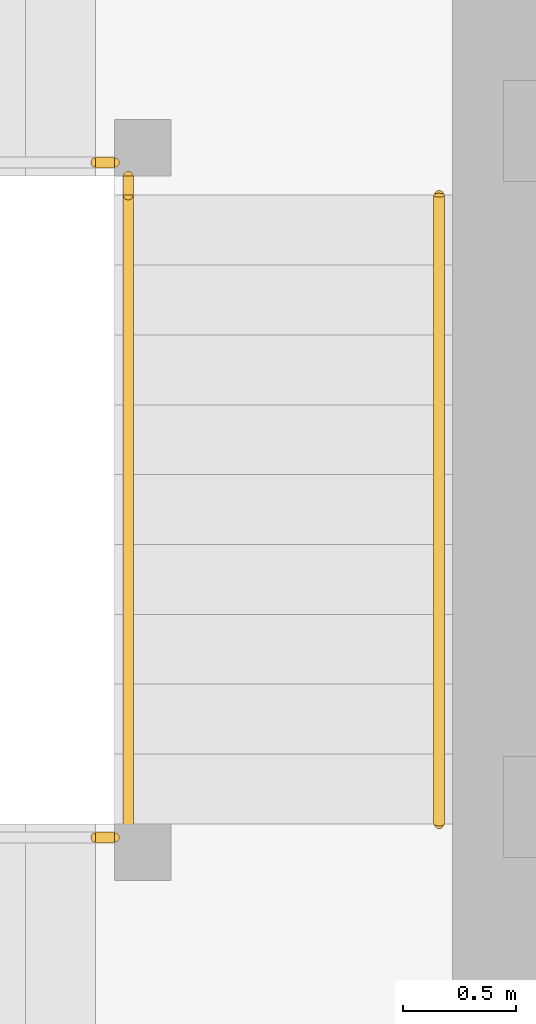
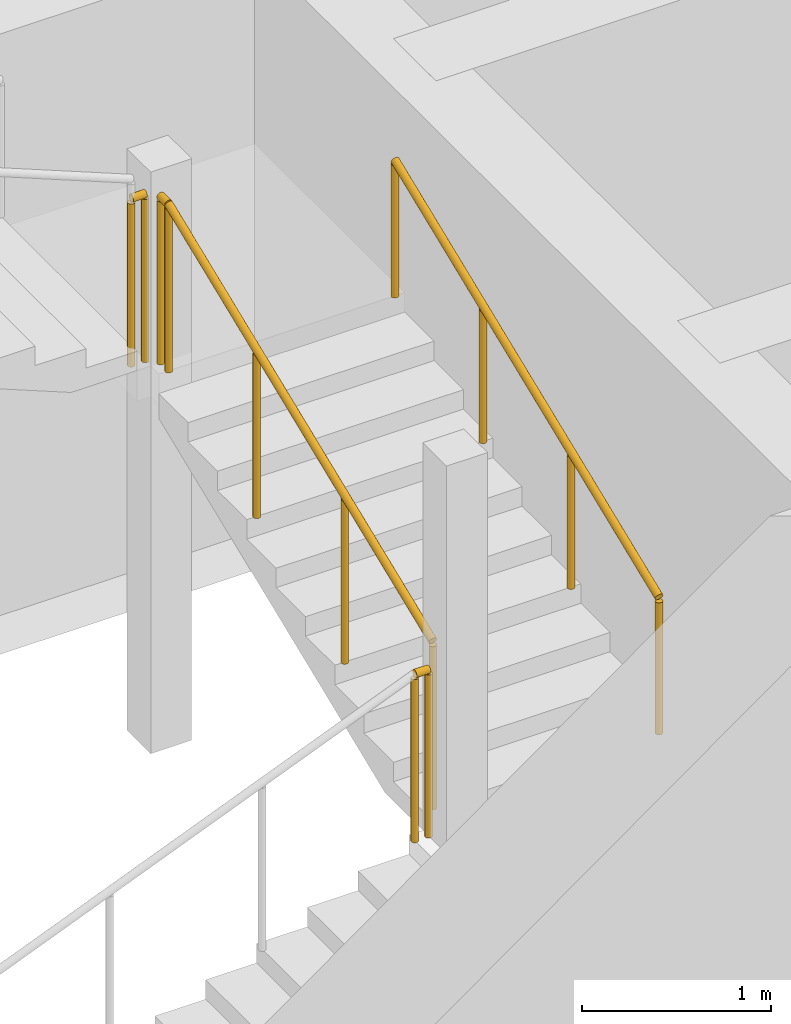
# One storey, part 35 of 39: 5 railings.
"""IFC4 building model written with IfcOpenShell, lengths in metres."""

from ifc_helpers import new_model, si_unit, direction, frame, origin, origin_2d, place, context, subcontext, project, spatial, circle, extrude, material, type_object, element, save


model = new_model("IFC4")

# Units and contexts
model_context = context("Model", 3, precision=1e-05, world=origin(), true_north=direction((0.0, 1.0)))
body_context = subcontext(model_context, "Body", "Model", "MODEL_VIEW")
ifc_project = project(units=[si_unit("LENGTHUNIT", "METRE"), si_unit("AREAUNIT", "SQUARE_METRE"), si_unit("VOLUMEUNIT", "CUBIC_METRE"), si_unit("PLANEANGLEUNIT", "RADIAN"), si_unit("MASSUNIT", "GRAM", prefix="KILO")], contexts=[model_context])

# Site, building, storey
site_placement = place(None, origin())
site = spatial("IfcSite", under=ifc_project, at=site_placement, CompositionType="ELEMENT")
building_placement = place(site_placement, origin())
building = spatial("IfcBuilding", under=site, at=building_placement, Name="Rekha Terrace Tower", CompositionType="ELEMENT")
storey_placement = place(building_placement, frame((0.0, 0.0, 187.699951171875)))
storey = spatial("IfcBuildingStorey", under=building, at=storey_placement, Name="L47", CompositionType="ELEMENT", Elevation=187.699951171875)

# Railings
ifc_material_1 = material(Name="Stainless steel balustrade", Category="steel")
railing_type_1 = type_object("IfcRailingType", Name="GR1 1100 stair guard", PredefinedType="GUARDRAIL", material=ifc_material_1)
railing_1_placement = place(storey_placement, frame((30.135009765625, 41.324951171875, 1.375)))
element("IfcRailing", 1, at=railing_1_placement, inside=storey, type_object=railing_type_1, Name="Guard ST4 L47 flight 2", PredefinedType="GUARDRAIL", context=body_context, shape_type="SweptSolid", body=[
    extrude(circle(Radius=0.02392578125, at=origin_2d()), frame((0.0, 0.0, 1.076171875), z_axis=(0.0, 0.927443287984, 0.373963831907), x_axis=(-1.0, 0.0, 0.0)), (0.0, 0.0, 1.0), 3.00830078125),
    extrude(circle(Radius=0.02099609375, at=origin_2d()), origin(), (0.0, 0.0, 1.0), 1.052001953125),
    extrude(circle(Radius=0.02099609375, at=origin_2d()), frame((0.0, 0.929931640625, 0.375)), (0.0, 0.0, 1.0), 1.052001953125),
    extrude(circle(Radius=0.02099609375, at=origin_2d()), frame((0.0, 1.860107421875, 0.75)), (0.0, 0.0, 1.0), 1.052001953125),
    extrude(circle(Radius=0.02099609375, at=origin_2d()), frame((0.0, 2.7900390625, 1.125)), (0.0, 0.0, 1.0), 1.052001953125),
])
railing_2_placement = place(storey_placement, frame((29.989990234375, 41.264892578125, 1.25)))
element("IfcRailing", 2, at=railing_2_placement, inside=storey, type_object=railing_type_1, Name="Guard ST4 L47 landing 1", PredefinedType="GUARDRAIL", context=body_context, shape_type="SweptSolid", body=[
    extrude(circle(Radius=0.02392578125, at=origin_2d()), frame((0.0, 0.0, 1.076171875), z_axis=(1.0, 0.0, 0.0), x_axis=(0.0, 1.0, 0.0)), (0.0, 0.0, 1.0), 0.0849609375),
    extrude(circle(Radius=0.02099609375, at=origin_2d()), origin(), (0.0, 0.0, 1.0), 1.052001953125),
    extrude(circle(Radius=0.02099609375, at=origin_2d()), frame((0.0849609375, 0.0, 0.0)), (0.0, 0.0, 1.0), 1.052001953125),
])
railing_3_placement = place(storey_placement, frame((30.135009765625, 44.114990234375, 2.5)))
element("IfcRailing", 3, at=railing_3_placement, inside=storey, type_object=railing_type_1, Name="Guard ST4 L47 landing 2", PredefinedType="GUARDRAIL", context=body_context, shape_type="SweptSolid", body=[
    extrude(circle(Radius=0.02392578125, at=origin_2d()), frame((0.0, 0.0, 1.076171875), z_axis=(0.0, 1.0, 0.0), x_axis=(-1.0, 0.0, 0.0)), (0.0, 0.0, 1.0), 0.0849609375),
    extrude(circle(Radius=0.02099609375, at=origin_2d()), origin(), (0.0, 0.0, 1.0), 1.052001953125),
    extrude(circle(Radius=0.02099609375, at=origin_2d()), frame((0.0, 0.0849609375, 0.0)), (0.0, 0.0, 1.0), 1.052001953125),
])
railing_4_placement = place(storey_placement, frame((29.989990234375, 44.260009765625, 2.5)))
element("IfcRailing", 4, at=railing_4_placement, inside=storey, type_object=railing_type_1, Name="Guard ST4 L47 landing 3", PredefinedType="GUARDRAIL", context=body_context, shape_type="SweptSolid", body=[
    extrude(circle(Radius=0.02392578125, at=origin_2d()), frame((0.0, 0.0, 1.076171875), z_axis=(1.0, 0.0, 0.0), x_axis=(0.0, 1.0, 0.0)), (0.0, 0.0, 1.0), 0.0849609375),
    extrude(circle(Radius=0.02099609375, at=origin_2d()), origin(), (0.0, 0.0, 1.0), 1.052001953125),
    extrude(circle(Radius=0.02099609375, at=origin_2d()), frame((0.0849609375, 0.0, 0.0)), (0.0, 0.0, 1.0), 1.052001953125),
])
ifc_material_2 = material(Name="Stainless steel tube", Category="steel")
railing_type_2 = type_object("IfcRailingType", Name="HR1 900 stair handrail", PredefinedType="HANDRAIL", material=ifc_material_2)
railing_5_placement = place(storey_placement, frame((31.514892578125, 41.324951171875, 1.375)))
element("IfcRailing", 5, at=railing_5_placement, inside=storey, type_object=railing_type_2, Name="Handrail ST4 L47 flight 2", PredefinedType="HANDRAIL", context=body_context, shape_type="SweptSolid", body=[
    extrude(circle(Radius=0.02392578125, at=origin_2d()), frame((0.0, 0.0, 0.8759765625), z_axis=(0.0, 0.927443287984, 0.373963831907), x_axis=(-1.0, 0.0, 0.0)), (0.0, 0.0, 1.0), 3.00830078125),
    extrude(circle(Radius=0.02099609375, at=origin_2d()), origin(), (0.0, 0.0, 1.0), 0.851806640625),
    extrude(circle(Radius=0.02099609375, at=origin_2d()), frame((0.0, 0.929931640625, 0.375)), (0.0, 0.0, 1.0), 0.851806640625),
    extrude(circle(Radius=0.02099609375, at=origin_2d()), frame((0.0, 1.860107421875, 0.75)), (0.0, 0.0, 1.0), 0.851806640625),
    extrude(circle(Radius=0.02099609375, at=origin_2d()), frame((0.0, 2.7900390625, 1.125)), (0.0, 0.0, 1.0), 0.851806640625),
])

save(model, "model.ifc")
